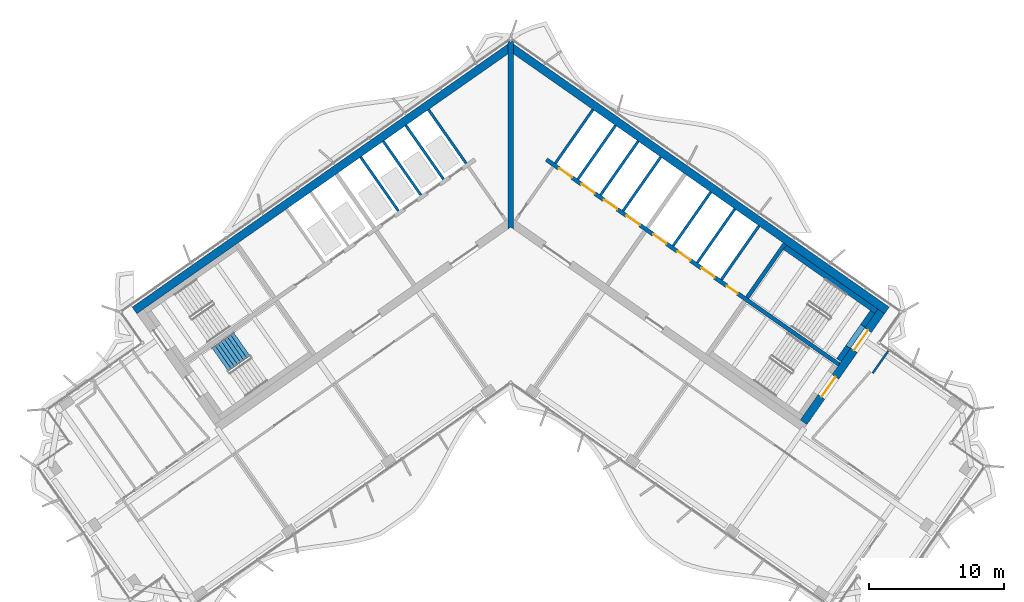
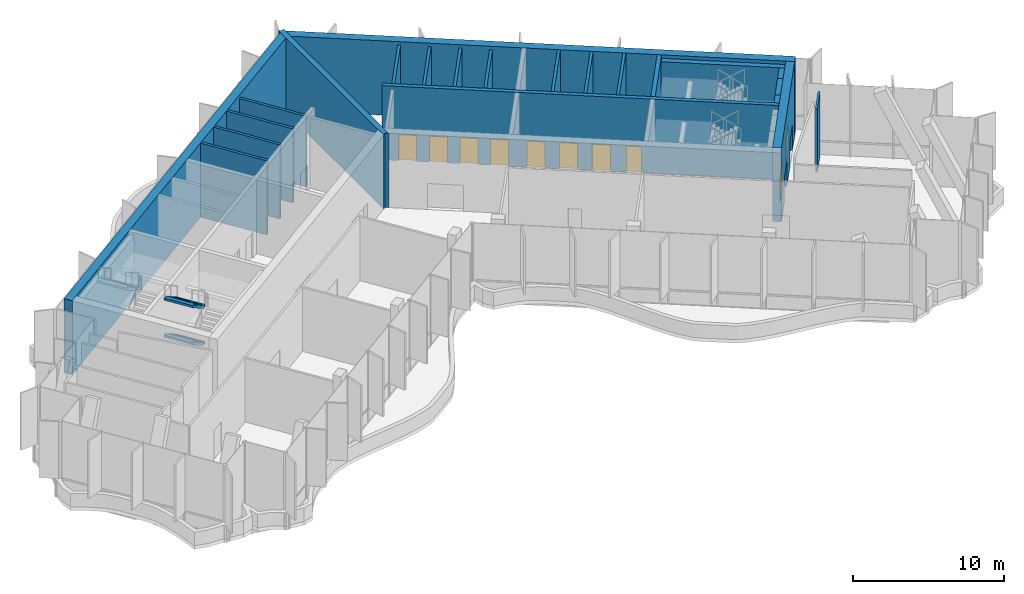
# One storey, part 14 of 22: 22 walls, 10 doors, 2 stair flights, 10 openings, 1 element without a shape of its own.
"""IFC4 building model written with IfcOpenShell, lengths in metres."""

from ifc_helpers import new_model, si_unit, direction, frame, frame_2d, origin, place, context, subcontext, project, spatial, polyline, rectangle, outline, extrude, material, layer, layer_set, type_object, element, fill, aggregate, save


model = new_model("IFC4")

# Units and contexts
model_context = context("Model", 3, precision=1e-05, world=origin(), true_north=direction((0.0, 1.0)))
body_context = subcontext(model_context, "Body", "Model", "MODEL_VIEW")
ifc_project = project(units=[si_unit("LENGTHUNIT", "METRE"), si_unit("AREAUNIT", "SQUARE_METRE"), si_unit("VOLUMEUNIT", "CUBIC_METRE"), si_unit("PLANEANGLEUNIT", "RADIAN"), si_unit("MASSUNIT", "GRAM", prefix="KILO")], contexts=[model_context])

# Site, building, storey
site_placement = place(None, origin())
site = spatial("IfcSite", under=ifc_project, at=site_placement, CompositionType="ELEMENT")
building_placement = place(site_placement, origin())
building = spatial("IfcBuilding", under=site, at=building_placement, Name="Tel Ilan Convention Tower", CompositionType="ELEMENT")
storey_placement = place(building_placement, frame((0.0, 0.0, 219.39990234375)))
storey = spatial("IfcBuildingStorey", under=building, at=storey_placement, Name="L51", CompositionType="ELEMENT", Elevation=219.39990234375)

# Walls
ifc_material_1 = material(Name="Concrete C30/37", Category="concrete")
ifc_layer_1 = layer(ifc_material_1, 0.199951171875)
ifc_layer_set_1 = layer_set([ifc_layer_1], Name="Core Service Room Wall 200 mm C30/37")
wall_type_1 = type_object("IfcWallType", Name="Core Service Room Wall 200 mm C30/37", PredefinedType="SOLIDWALL", material=ifc_layer_set_1)
for number, where, z_axis, x_axis, name in (
    (1, (-3.2978515625, 3.489501953125, 0.0), (0.0, 0.0, 1.0), (-0.573560315113, 0.819163332265, 0.0), "L51 core wall apex-W-b"),
    (2, (3.2978515625, 3.489501953125, 0.0), (0.0, 0.0, 1.0), (0.573560315113, 0.819163332265, 0.0), "L51 core wall apex-E-b"),
):
    element("IfcWall", number, at=place(storey_placement, frame(where, z_axis=z_axis, x_axis=x_axis)), inside=storey, type_object=wall_type_1, Name=name, PredefinedType="SOLIDWALL", context=body_context, shape_type="SweptSolid", body=[
        extrude(rectangle(XDim=4.849853515625, YDim=0.199951171875, at=frame_2d((2.4248046875, 0.0))), origin(), (0.0, 0.0, 1.0), 5.72021484375),
    ])
ifc_material_2 = material(Name="Concrete C40/50", Category="concrete")
ifc_layer_2 = layer(ifc_material_2, 0.300048828125)
ifc_layer_set_2 = layer_set([ifc_layer_2], Name="Core Shear Wall 300 mm C40/50")
wall_type_2 = type_object("IfcWallType", Name="Core Shear Wall 300 mm C40/50", PredefinedType="SHEAR", material=ifc_layer_set_2)
wall_1_placement = place(storey_placement, frame((17.46923828125, -6.433349609375, 0.0), z_axis=(0.0, 0.0, 1.0), x_axis=(0.573594092424, 0.81913968109, 0.0)))
element("IfcWall", 3, at=wall_1_placement, inside=storey, type_object=wall_type_2, Name="L51 core wall E-cross2-2", PredefinedType="SHEAR", context=body_context, shape_type="SweptSolid", body=[
    extrude(outline(polyline([(4.849853515625, -0.14990234375), (4.849853515625, 0.150146484375), (0.0, 0.14990234375), (0.0, -0.14990234375), (4.849853515625, -0.14990234375)])), origin(), (0.0, 0.0, 1.0), 6.0),
])

# Wall, openings, doors
wall_2_placement = place(storey_placement, frame((2.638427734375, 3.76806640625, 0.0), z_axis=(0.0, 0.0, 1.0), x_axis=(0.819155014212, -0.573572194837, 0.0)))
wall_2 = element("IfcWall", 4, at=wall_2_placement, inside=storey, type_object=wall_type_2, Name="L51 core wall E-spine", PredefinedType="SHEAR", context=body_context, shape_type="SweptSolid", body=[
    extrude(outline(polyline([(0.0, 0.150146484375), (0.0, -0.14990234375), (26.39990234375, -0.150146484375), (26.39990234375, 0.14990234375), (0.0, 0.150146484375)])), origin(), (0.0, 0.0, 1.0), 6.0),
])
opening_1_placement = place(wall_2_placement, frame((1.118896484375, 0.0, 0.0)))
opening_1 = element("IfcOpeningElement", 5, at=opening_1_placement, cuts=wall_2, Name="Opening LD4010", PredefinedType="OPENING", context=body_context, shape_type="SweptSolid", body=[
    extrude(rectangle(XDim=1.199951171875, YDim=2.10009765625, at=frame_2d((0.60009765625, 1.050048828125))), frame((0.0, 0.159912109375, 0.0), z_axis=(0.0, -1.0, 0.0), x_axis=(1.0, 0.0, 0.0)), (0.0, 0.0, 1.0), 0.320068359375),
])
opening_2_placement = place(wall_2_placement, frame((3.15625, 0.0, 0.0)))
opening_2 = element("IfcOpeningElement", 6, at=opening_2_placement, cuts=wall_2, Name="Opening LD4011", PredefinedType="OPENING", context=body_context, shape_type="SweptSolid", body=[
    extrude(rectangle(XDim=1.199951171875, YDim=2.10009765625, at=frame_2d((0.60009765625, 1.050048828125))), frame((0.0, 0.159912109375, 0.0), z_axis=(0.0, -1.0, 0.0), x_axis=(1.0, 0.0, 0.0)), (0.0, 0.0, 1.0), 0.320068359375),
])
opening_3_placement = place(wall_2_placement, frame((5.193603515625, 0.0, 0.0)))
opening_3 = element("IfcOpeningElement", 7, at=opening_3_placement, cuts=wall_2, Name="Opening LD4012", PredefinedType="OPENING", context=body_context, shape_type="SweptSolid", body=[
    extrude(rectangle(XDim=1.199951171875, YDim=2.10009765625, at=frame_2d((0.60009765625, 1.050048828125))), frame((0.0, 0.159912109375, 0.0), z_axis=(0.0, -1.0, 0.0), x_axis=(1.0, 0.0, 0.0)), (0.0, 0.0, 1.0), 0.320068359375),
])
opening_4_placement = place(wall_2_placement, frame((7.231201171875, 0.0, 0.0)))
opening_4 = element("IfcOpeningElement", 8, at=opening_4_placement, cuts=wall_2, Name="Opening LD4013", PredefinedType="OPENING", context=body_context, shape_type="SweptSolid", body=[
    extrude(rectangle(XDim=1.199951171875, YDim=2.10009765625, at=frame_2d((0.60009765625, 1.050048828125))), frame((0.0, 0.159912109375, 0.0), z_axis=(0.0, -1.0, 0.0), x_axis=(1.0, 0.0, 0.0)), (0.0, 0.0, 1.0), 0.320068359375),
])
opening_5_placement = place(wall_2_placement, frame((9.637451171875, 0.0, 0.0)))
opening_5 = element("IfcOpeningElement", 9, at=opening_5_placement, cuts=wall_2, Name="Opening LD4001", PredefinedType="OPENING", context=body_context, shape_type="SweptSolid", body=[
    extrude(rectangle(XDim=1.199951171875, YDim=2.10009765625, at=frame_2d((0.60009765625, 1.050048828125))), frame((0.0, 0.159912109375, 0.0), z_axis=(0.0, -1.0, 0.0), x_axis=(1.0, 0.0, 0.0)), (0.0, 0.0, 1.0), 0.320068359375),
])
opening_6_placement = place(wall_2_placement, frame((11.8125, 0.0, 0.0)))
opening_6 = element("IfcOpeningElement", 10, at=opening_6_placement, cuts=wall_2, Name="Opening LD4002", PredefinedType="OPENING", context=body_context, shape_type="SweptSolid", body=[
    extrude(rectangle(XDim=1.199951171875, YDim=2.10009765625, at=frame_2d((0.60009765625, 1.050048828125))), frame((0.0, 0.159912109375, 0.0), z_axis=(0.0, -1.0, 0.0), x_axis=(1.0, 0.0, 0.0)), (0.0, 0.0, 1.0), 0.320068359375),
])
opening_7_placement = place(wall_2_placement, frame((13.987548828125, 0.0, 0.0)))
opening_7 = element("IfcOpeningElement", 11, at=opening_7_placement, cuts=wall_2, Name="Opening LD4003", PredefinedType="OPENING", context=body_context, shape_type="SweptSolid", body=[
    extrude(rectangle(XDim=1.199951171875, YDim=2.10009765625, at=frame_2d((0.60009765625, 1.050048828125))), frame((0.0, 0.159912109375, 0.0), z_axis=(0.0, -1.0, 0.0), x_axis=(1.0, 0.0, 0.0)), (0.0, 0.0, 1.0), 0.320068359375),
])
opening_8_placement = place(wall_2_placement, frame((16.262451171875, 0.0, 0.0)))
opening_8 = element("IfcOpeningElement", 12, at=opening_8_placement, cuts=wall_2, Name="Opening CD4007", PredefinedType="OPENING", context=body_context, shape_type="SweptSolid", body=[
    extrude(rectangle(XDim=1.0, YDim=2.10009765625, at=frame_2d((0.5, 1.050048828125))), frame((0.0, 0.159912109375, 0.0), z_axis=(0.0, -1.0, 0.0), x_axis=(1.0, 0.0, 0.0)), (0.0, 0.0, 1.0), 0.320068359375),
])
ifc_material_3 = material(Name="Stainless Steel Sliding Door Leaf", Category="steel")
door_type_1 = type_object("IfcDoorType", Name="Lift Landing Door 1200 x 2100 FD120", OperationType="NOTDEFINED", PredefinedType="DOOR", material=ifc_material_3)
door_1_placement = place(opening_1_placement, origin())
door_1 = element("IfcDoor", 13, at=door_1_placement, inside=storey, type_object=door_type_1, Name="Lift SH1 landing door", OperationType="SLIDING_TO_LEFT", OverallHeight=2.10009765625, OverallWidth=1.199951171875, PredefinedType="DOOR", context=body_context, shape_type="SweptSolid", body=[
    extrude(rectangle(XDim=1.199951171875, YDim=2.10009765625, at=frame_2d((0.60009765625, 1.050048828125))), frame((0.0, 0.02490234375, 0.0), z_axis=(0.0, -1.0, 0.0), x_axis=(1.0, 0.0, 0.0)), (0.0, 0.0, 1.0), 0.050048828125),
])
fill(opening_1, door_1)
door_2_placement = place(opening_2_placement, origin())
door_2 = element("IfcDoor", 14, at=door_2_placement, inside=storey, type_object=door_type_1, Name="Lift SH2 landing door", OperationType="SLIDING_TO_RIGHT", OverallHeight=2.10009765625, OverallWidth=1.199951171875, PredefinedType="DOOR", context=body_context, shape_type="SweptSolid", body=[
    extrude(rectangle(XDim=1.199951171875, YDim=2.10009765625, at=frame_2d((0.60009765625, 1.050048828125))), frame((0.0, 0.02490234375, 0.0), z_axis=(0.0, -1.0, 0.0), x_axis=(1.0, 0.0, 0.0)), (0.0, 0.0, 1.0), 0.050048828125),
])
fill(opening_2, door_2)
door_3_placement = place(opening_3_placement, origin())
door_3 = element("IfcDoor", 15, at=door_3_placement, inside=storey, type_object=door_type_1, Name="Lift SH3 landing door", OperationType="SLIDING_TO_LEFT", OverallHeight=2.10009765625, OverallWidth=1.199951171875, PredefinedType="DOOR", context=body_context, shape_type="SweptSolid", body=[
    extrude(rectangle(XDim=1.199951171875, YDim=2.10009765625, at=frame_2d((0.60009765625, 1.050048828125))), frame((0.0, 0.02490234375, 0.0), z_axis=(0.0, -1.0, 0.0), x_axis=(1.0, 0.0, 0.0)), (0.0, 0.0, 1.0), 0.050048828125),
])
fill(opening_3, door_3)
door_4_placement = place(opening_4_placement, origin())
door_4 = element("IfcDoor", 16, at=door_4_placement, inside=storey, type_object=door_type_1, Name="Lift SH4 landing door", OperationType="SLIDING_TO_RIGHT", OverallHeight=2.10009765625, OverallWidth=1.199951171875, PredefinedType="DOOR", context=body_context, shape_type="SweptSolid", body=[
    extrude(rectangle(XDim=1.199951171875, YDim=2.10009765625, at=frame_2d((0.60009765625, 1.050048828125))), frame((0.0, 0.02490234375, 0.0), z_axis=(0.0, -1.0, 0.0), x_axis=(1.0, 0.0, 0.0)), (0.0, 0.0, 1.0), 0.050048828125),
])
fill(opening_4, door_4)
door_5_placement = place(opening_5_placement, origin())
door_5 = element("IfcDoor", 17, at=door_5_placement, inside=storey, type_object=door_type_1, Name="Lift FL1 landing door", OperationType="SLIDING_TO_LEFT", OverallHeight=2.10009765625, OverallWidth=1.199951171875, PredefinedType="DOOR", context=body_context, shape_type="SweptSolid", body=[
    extrude(rectangle(XDim=1.199951171875, YDim=2.10009765625, at=frame_2d((0.60009765625, 1.050048828125))), frame((0.0, 0.02490234375, 0.0), z_axis=(0.0, -1.0, 0.0), x_axis=(1.0, 0.0, 0.0)), (0.0, 0.0, 1.0), 0.050048828125),
])
fill(opening_5, door_5)
door_6_placement = place(opening_6_placement, origin())
door_6 = element("IfcDoor", 18, at=door_6_placement, inside=storey, type_object=door_type_1, Name="Lift FL2 landing door", OperationType="SLIDING_TO_RIGHT", OverallHeight=2.10009765625, OverallWidth=1.199951171875, PredefinedType="DOOR", context=body_context, shape_type="SweptSolid", body=[
    extrude(rectangle(XDim=1.199951171875, YDim=2.10009765625, at=frame_2d((0.60009765625, 1.050048828125))), frame((0.0, 0.02490234375, 0.0), z_axis=(0.0, -1.0, 0.0), x_axis=(1.0, 0.0, 0.0)), (0.0, 0.0, 1.0), 0.050048828125),
])
fill(opening_6, door_6)
door_7_placement = place(opening_7_placement, origin())
door_7 = element("IfcDoor", 19, at=door_7_placement, inside=storey, type_object=door_type_1, Name="Lift FL3 landing door", OperationType="SLIDING_TO_LEFT", OverallHeight=2.10009765625, OverallWidth=1.199951171875, PredefinedType="DOOR", context=body_context, shape_type="SweptSolid", body=[
    extrude(rectangle(XDim=1.199951171875, YDim=2.10009765625, at=frame_2d((0.60009765625, 1.050048828125))), frame((0.0, 0.02490234375, 0.0), z_axis=(0.0, -1.0, 0.0), x_axis=(1.0, 0.0, 0.0)), (0.0, 0.0, 1.0), 0.050048828125),
])
fill(opening_7, door_7)
ifc_material_4 = material(Name="Galvanised Steel Door Leaf", Category="steel")
door_type_2 = type_object("IfcDoorType", Name="Service Room Door 1000 x 2100 FD60", OperationType="NOTDEFINED", PredefinedType="DOOR", material=ifc_material_4)
door_8_placement = place(opening_8_placement, origin())
door_8 = element("IfcDoor", 20, at=door_8_placement, inside=storey, type_object=door_type_2, Name="Plant Room door", OperationType="SINGLE_SWING_RIGHT", OverallHeight=2.10009765625, OverallWidth=1.0, PredefinedType="DOOR", context=body_context, shape_type="SweptSolid", body=[
    extrude(rectangle(XDim=1.0, YDim=2.10009765625, at=frame_2d((0.5, 1.050048828125))), frame((0.0, 0.02490234375, 0.0), z_axis=(0.0, -1.0, 0.0), x_axis=(1.0, 0.0, 0.0)), (0.0, 0.0, 1.0), 0.050048828125),
])
fill(opening_8, door_8)

# Walls
ifc_material_5 = material(Name="Concrete C40/50", Category="concrete")
ifc_layer_3 = layer(ifc_material_5, 0.39990234375)
ifc_layer_set_3 = layer_set([ifc_layer_3], Name="Core Shear Wall 400 mm C40/50")
wall_type_3 = type_object("IfcWallType", Name="Core Shear Wall 400 mm C40/50", PredefinedType="SHEAR", material=ifc_layer_set_3)
wall_3_placement = place(storey_placement, frame((0.0, -1.36083984375, 0.0), z_axis=(0.0, 0.0, 1.0), x_axis=(0.0, 1.0, 0.0)))
element("IfcWall", 21, at=wall_3_placement, inside=storey, type_object=wall_type_3, Name="L51 core wall K-central", PredefinedType="SHEAR", context=body_context, shape_type="SweptSolid", body=[
    extrude(outline(polyline([(0.14013671875, 0.199951171875), (0.0, 0.199951171875), (0.14013671875, 0.0), (0.0, -0.199951171875), (0.14013671875, -0.199951171875), (1.012451171875, -0.199951171875), (12.940185546875, -0.199951171875), (13.812744140625, -0.199951171875), (13.893310546875, -0.199951171875), (13.933349609375, -0.172119140625), (13.812744140625, 0.0), (13.933349609375, 0.172119140625), (13.893310546875, 0.199951171875), (13.812744140625, 0.199951171875), (12.940185546875, 0.199951171875), (1.012451171875, 0.199951171875), (0.14013671875, 0.199951171875)])), origin(), (0.0, 0.0, 1.0), 6.0),
])
ifc_material_6 = material(Name="Concrete C40/50", Category="concrete")
ifc_layer_4 = layer(ifc_material_6, 0.60009765625)
ifc_layer_set_4 = layer_set([ifc_layer_4], Name="Core Shear Wall 600 mm C40/50")
wall_type_4 = type_object("IfcWallType", Name="Core Shear Wall 600 mm C40/50", PredefinedType="SHEAR", material=ifc_layer_set_4)
wall_4_placement = place(storey_placement, frame((-0.02783203125, 12.066162109375, 0.0), z_axis=(0.0, 0.0, 1.0), x_axis=(-0.819151382952, -0.573577380837, 0.0)))
element("IfcWall", 22, at=wall_4_placement, inside=storey, type_object=wall_type_4, Name="L51 core wall W-back", PredefinedType="SHEAR", context=body_context, shape_type="SweptSolid", body=[
    extrude(outline(polyline([(33.89794921875, 0.300048828125), (0.420166015625, 0.300048828125), (0.0, -0.300048828125), (33.898193359375, -0.300048828125), (33.89794921875, 0.300048828125)])), origin(), (0.0, 0.0, 1.0), 6.0),
])
wall_5_placement = place(storey_placement, frame((0.02783203125, 12.066162109375, 0.0), z_axis=(0.0, 0.0, 1.0), x_axis=(0.819151382952, -0.573577380837, 0.0)))
element("IfcWall", 23, at=wall_5_placement, inside=storey, type_object=wall_type_4, Name="L51 core wall E-back", PredefinedType="SHEAR", context=body_context, shape_type="SweptSolid", body=[
    extrude(outline(polyline([(33.898193359375, 0.300048828125), (0.0, 0.300048828125), (0.420166015625, -0.300048828125), (33.89794921875, -0.300048828125), (33.898193359375, 0.300048828125)])), origin(), (0.0, 0.0, 1.0), 6.0),
])

# Wall, openings, doors
wall_6_placement = place(storey_placement, frame((21.641845703125, -15.64208984375, 0.0), z_axis=(0.0, 0.0, 1.0), x_axis=(0.573586866468, 0.819144740944, 0.0)))
wall_6 = element("IfcWall", 24, at=wall_6_placement, inside=storey, type_object=wall_type_4, Name="L51 core wall E-end", PredefinedType="SHEAR", context=body_context, shape_type="SweptSolid", body=[
    extrude(outline(polyline([(10.0, 0.300048828125), (0.0, 0.2998046875), (0.0, -0.300048828125), (10.0, -0.300048828125), (10.0, 0.300048828125)])), origin(), (0.0, 0.0, 1.0), 6.0),
])
opening_9_placement = place(wall_6_placement, frame((6.5, 0.0, 0.0)))
opening_9 = element("IfcOpeningElement", 25, at=opening_9_placement, cuts=wall_6, Name="Opening SD4003", PredefinedType="OPENING", context=body_context, shape_type="SweptSolid", body=[
    extrude(rectangle(XDim=1.800048828125, YDim=2.10009765625, at=frame_2d((0.89990234375, 1.050048828125))), frame((0.0, 0.31005859375, 0.0), z_axis=(0.0, -1.0, 0.0), x_axis=(1.0, 0.0, 0.0)), (0.0, 0.0, 1.0), 0.6201171875),
])
opening_10_placement = place(wall_6_placement, frame((2.300048828125, 0.0, 0.0)))
opening_10 = element("IfcOpeningElement", 26, at=opening_10_placement, cuts=wall_6, Name="Opening SD4004", PredefinedType="OPENING", context=body_context, shape_type="SweptSolid", body=[
    extrude(rectangle(XDim=1.800048828125, YDim=2.10009765625, at=frame_2d((0.89990234375, 1.050048828125))), frame((0.0, 0.31005859375, 0.0), z_axis=(0.0, -1.0, 0.0), x_axis=(1.0, 0.0, 0.0)), (0.0, 0.0, 1.0), 0.6201171875),
])
ifc_material_7 = material(Name="Galvanised Steel Door Leaf", Category="steel")
door_type_3 = type_object("IfcDoorType", Name="Stair Fire Door 1800 x 2100 FD60S", OperationType="NOTDEFINED", PredefinedType="DOOR", material=ifc_material_7)
door_9_placement = place(opening_9_placement, origin())
door_9 = element("IfcDoor", 27, at=door_9_placement, inside=storey, type_object=door_type_3, Name="Stair S3 door", OperationType="DOUBLE_DOOR_SINGLE_SWING", OverallHeight=2.10009765625, OverallWidth=1.800048828125, PredefinedType="DOOR", context=body_context, shape_type="SweptSolid", body=[
    extrude(rectangle(XDim=1.800048828125, YDim=2.10009765625, at=frame_2d((0.89990234375, 1.050048828125))), frame((0.0, 0.02490234375, 0.0), z_axis=(0.0, -1.0, 0.0), x_axis=(1.0, 0.0, 0.0)), (0.0, 0.0, 1.0), 0.050048828125),
])
fill(opening_9, door_9)
door_10_placement = place(opening_10_placement, origin())
door_10 = element("IfcDoor", 28, at=door_10_placement, inside=storey, type_object=door_type_3, Name="Stair S4 door", OperationType="DOUBLE_DOOR_SINGLE_SWING", OverallHeight=2.10009765625, OverallWidth=1.800048828125, PredefinedType="DOOR", context=body_context, shape_type="SweptSolid", body=[
    extrude(rectangle(XDim=1.800048828125, YDim=2.10009765625, at=frame_2d((0.89990234375, 1.050048828125))), frame((0.0, 0.02490234375, 0.0), z_axis=(0.0, -1.0, 0.0), x_axis=(1.0, 0.0, 0.0)), (0.0, 0.0, 1.0), 0.050048828125),
])
fill(opening_10, door_10)

# Walls
ifc_material_8 = material(Name="Plasterboard on Steel Studs", Category="steel")
ifc_layer_5 = layer(ifc_material_8, 0.14990234375)
ifc_layer_set_5 = layer_set([ifc_layer_5], Name="Fire-rated Partition 150 EI 60")
wall_type_5 = type_object("IfcWallType", Name="Fire-rated Partition 150 EI 60", PredefinedType="PARTITIONING", material=ifc_layer_set_5)
wall_7_placement = place(storey_placement, frame((26.74609375, -12.013671875, 0.0), z_axis=(0.0, 0.0, 1.0), x_axis=(0.573568836472, 0.819157365729, 0.0)))
element("IfcWall", 29, at=wall_7_placement, inside=storey, type_object=wall_type_5, Name="Partition 013", PredefinedType="PARTITIONING", context=body_context, shape_type="SweptSolid", body=[
    extrude(rectangle(XDim=2.000244140625, YDim=0.14990234375, at=frame_2d((1.0, 0.0))), origin(), (0.0, 0.0, 1.0), 5.150146484375),
])
ifc_material_9 = material(Name="Concrete C30/37", Category="concrete")
ifc_layer_6 = layer(ifc_material_9, 0.199951171875)
ifc_layer_set_6 = layer_set([ifc_layer_6], Name="Lift Shaft Wall 200 mm C30/37")
wall_type_6 = type_object("IfcWallType", Name="Lift Shaft Wall 200 mm C30/37", PredefinedType="SOLIDWALL", material=ifc_layer_set_6)
wall_8_placement = place(storey_placement, frame((-4.966796875, 2.32080078125, 0.0), z_axis=(0.0, 0.0, 1.0), x_axis=(-0.573594092424, 0.81913968109, 0.0)))
element("IfcWall", 30, at=wall_8_placement, inside=storey, type_object=wall_type_6, Name="L51 core wall bank-W1-p0", PredefinedType="SOLIDWALL", context=body_context, shape_type="SweptSolid", body=[
    extrude(rectangle(XDim=4.85009765625, YDim=0.199951171875, at=frame_2d((2.425048828125, 0.0))), origin(), (0.0, 0.0, 1.0), 6.0),
])
wall_9_placement = place(storey_placement, frame((-6.635986328125, 1.152099609375, 0.0), z_axis=(0.0, 0.0, 1.0), x_axis=(-0.573560315113, 0.819163332265, 0.0)))
element("IfcWall", 31, at=wall_9_placement, inside=storey, type_object=wall_type_6, Name="L51 core wall bank-W1-p1", PredefinedType="SOLIDWALL", context=body_context, shape_type="SweptSolid", body=[
    extrude(rectangle(XDim=4.849853515625, YDim=0.199951171875, at=frame_2d((2.4248046875, 0.0))), origin(), (0.0, 0.0, 1.0), 6.0),
])
wall_10_placement = place(storey_placement, frame((-8.304931640625, -0.0166015625, 0.0), z_axis=(0.0, 0.0, 1.0), x_axis=(-0.573594092424, 0.81913968109, 0.0)))
element("IfcWall", 32, at=wall_10_placement, inside=storey, type_object=wall_type_6, Name="L51 core wall bank-W1-p2", PredefinedType="SOLIDWALL", context=body_context, shape_type="SweptSolid", body=[
    extrude(rectangle(XDim=4.85009765625, YDim=0.199951171875, at=frame_2d((2.425048828125, 0.0))), origin(), (0.0, 0.0, 1.0), 6.0),
])
wall_11_placement = place(storey_placement, frame((4.966796875, 2.32080078125, 0.0), z_axis=(0.0, 0.0, 1.0), x_axis=(0.573594092424, 0.81913968109, 0.0)))
element("IfcWall", 33, at=wall_11_placement, inside=storey, type_object=wall_type_6, Name="L51 core wall bank-E1-p0", PredefinedType="SOLIDWALL", context=body_context, shape_type="SweptSolid", body=[
    extrude(rectangle(XDim=4.85009765625, YDim=0.199951171875, at=frame_2d((2.425048828125, 0.0))), origin(), (0.0, 0.0, 1.0), 5.72021484375),
])
wall_12_placement = place(storey_placement, frame((6.635986328125, 1.152099609375, 0.0), z_axis=(0.0, 0.0, 1.0), x_axis=(0.573560315113, 0.819163332265, 0.0)))
element("IfcWall", 34, at=wall_12_placement, inside=storey, type_object=wall_type_6, Name="L51 core wall bank-E1-p1", PredefinedType="SOLIDWALL", context=body_context, shape_type="SweptSolid", body=[
    extrude(rectangle(XDim=4.849853515625, YDim=0.199951171875, at=frame_2d((2.4248046875, 0.0))), origin(), (0.0, 0.0, 1.0), 5.72021484375),
])
wall_13_placement = place(storey_placement, frame((8.304931640625, -0.0166015625, 0.0), z_axis=(0.0, 0.0, 1.0), x_axis=(0.573594092424, 0.81913968109, 0.0)))
element("IfcWall", 35, at=wall_13_placement, inside=storey, type_object=wall_type_6, Name="L51 core wall bank-E1-p2", PredefinedType="SOLIDWALL", context=body_context, shape_type="SweptSolid", body=[
    extrude(rectangle(XDim=4.85009765625, YDim=0.199951171875, at=frame_2d((2.425048828125, 0.0))), origin(), (0.0, 0.0, 1.0), 5.72021484375),
])
wall_14_placement = place(storey_placement, frame((12.00146484375, -2.604736328125, 0.0), z_axis=(0.0, 0.0, 1.0), x_axis=(0.573560315113, 0.819163332265, 0.0)))
element("IfcWall", 36, at=wall_14_placement, inside=storey, type_object=wall_type_6, Name="L51 core wall bank-E2-p0", PredefinedType="SOLIDWALL", context=body_context, shape_type="SweptSolid", body=[
    extrude(rectangle(XDim=4.849853515625, YDim=0.199951171875, at=frame_2d((2.4248046875, 0.0))), origin(), (0.0, 0.0, 1.0), 6.0),
])
wall_15_placement = place(storey_placement, frame((13.782958984375, -3.852294921875, 0.0), z_axis=(0.0, 0.0, 1.0), x_axis=(0.573594092424, 0.81913968109, 0.0)))
element("IfcWall", 37, at=wall_15_placement, inside=storey, type_object=wall_type_6, Name="L51 core wall bank-E2-p1", PredefinedType="SOLIDWALL", context=body_context, shape_type="SweptSolid", body=[
    extrude(rectangle(XDim=4.85009765625, YDim=0.199951171875, at=frame_2d((2.425048828125, 0.0))), origin(), (0.0, 0.0, 1.0), 6.0),
])
wall_16_placement = place(storey_placement, frame((15.564697265625, -5.099853515625, 0.0), z_axis=(0.0, 0.0, 1.0), x_axis=(0.573560315113, 0.819163332265, 0.0)))
element("IfcWall", 38, at=wall_16_placement, inside=storey, type_object=wall_type_6, Name="L51 core wall bank-E2-p2", PredefinedType="SOLIDWALL", context=body_context, shape_type="SweptSolid", body=[
    extrude(rectangle(XDim=4.849853515625, YDim=0.199951171875, at=frame_2d((2.4248046875, 0.0))), origin(), (0.0, 0.0, 1.0), 6.0),
])
ifc_material_10 = material(Name="Concrete C30/37", Category="concrete")
ifc_layer_7 = layer(ifc_material_10, 0.39990234375)
ifc_layer_set_7 = layer_set([ifc_layer_7], Name="Stair and Shaft Lining Wall 400 mm C30/37")
wall_type_7 = type_object("IfcWallType", Name="Stair and Shaft Lining Wall 400 mm C30/37", PredefinedType="SOLIDWALL", material=ifc_layer_set_7)
wall_17_placement = place(storey_placement, frame((20.25927734375, -2.71044921875, 0.0), z_axis=(0.0, 0.0, 1.0), x_axis=(0.81914849389, -0.573581506813, 0.0)))
element("IfcWall", 39, at=wall_17_placement, inside=storey, type_object=wall_type_7, Name="L51 core wall lining-S3-t1", PredefinedType="SOLIDWALL", context=body_context, shape_type="SweptSolid", body=[
    extrude(rectangle(XDim=8.249755859375, YDim=0.39990234375, at=frame_2d((4.125, 0.0))), origin(), (0.0, 0.0, 1.0), 5.72021484375),
])
wall_18_placement = place(storey_placement, frame((24.24365234375, -11.0546875, 0.0), z_axis=(0.0, 0.0, 1.0), x_axis=(0.573571582932, 0.819155442668, 0.0)))
element("IfcWall", 40, at=wall_18_placement, inside=storey, type_object=wall_type_7, Name="L51 core wall lining-S3-u1-0", PredefinedType="SOLIDWALL", context=body_context, shape_type="SweptSolid", body=[
    extrude(rectangle(XDim=1.199951171875, YDim=0.39990234375, at=frame_2d((0.60009765625, 0.0))), origin(), (0.0, 0.0, 1.0), 5.72021484375),
])
wall_19_placement = place(storey_placement, frame((26.021728515625, -8.515380859375, 0.0), z_axis=(0.0, 0.0, 1.0), x_axis=(0.573619628835, 0.819121798889, 0.0)))
element("IfcWall", 41, at=wall_19_placement, inside=storey, type_object=wall_type_7, Name="L51 core wall lining-S3-u1-1", PredefinedType="SOLIDWALL", context=body_context, shape_type="SweptSolid", body=[
    extrude(rectangle(XDim=1.25, YDim=0.39990234375, at=frame_2d((0.625, 0.0))), origin(), (0.0, 0.0, 1.0), 5.72021484375),
])
wall_20_placement = place(storey_placement, frame((24.931884765625, -10.07177734375, 2.150146484375), z_axis=(0.0, 0.0, 1.0), x_axis=(0.573591692345, 0.819141361715, 0.0)))
element("IfcWall", 42, at=wall_20_placement, inside=storey, type_object=wall_type_7, Name="L51 core wall lining-S3-u1-lintel", PredefinedType="SOLIDWALL", context=body_context, shape_type="SweptSolid", body=[
    extrude(rectangle(XDim=1.900146484375, YDim=0.39990234375, at=frame_2d((0.9501953125, 0.0))), origin(), (0.0, 0.0, 1.0), 3.570068359375),
])

# Stair, stair flights
ifc_material_11 = material(Name="Concrete C40/50", Category="concrete")
stair_type = type_object("IfcStairType", Name="Pressurised Exit Stair 32 risers 188 mm", PredefinedType="HALF_TURN_STAIR", material=ifc_material_11)
stair_placement = place(storey_placement, origin())
stair = element("IfcStair", 43, at=stair_placement, inside=storey, type_object=stair_type, Name="L51 Pressurised Stair S2", PredefinedType="HALF_TURN_STAIR")
ifc_material_12 = material(Name="Precast Concrete C40/50", Category="concrete")
stair_flight_type = type_object("IfcStairFlightType", Name="Concrete Stair Flight 2100 mm 32 risers 188 mm", PredefinedType="STRAIGHT", material=ifc_material_12)
stair_flight_1_placement = place(storey_placement, frame((-19.864990234375, -9.881103515625, 1.5), z_axis=(0.0, 0.0, 1.0), x_axis=(-0.819152044289, -0.573576436351, 0.0)))
stair_flight_1 = element("IfcStairFlight", 44, at=stair_flight_1_placement, type_object=stair_flight_type, Name="S2 flight 2", NumberOfRisers=8, NumberOfTreads=7, PredefinedType="STRAIGHT", RiserHeight=0.1875, TreadLength=0.28, context=body_context, shape_type="SweptSolid", body=[
    extrude(outline(polyline([(0.0, 0.0), (0.0, 0.1875), (0.280029296875, 0.1875), (0.280029296875, 0.375), (0.56005859375, 0.375), (0.56005859375, 0.5625), (0.840087890625, 0.5625), (0.840087890625, 0.75), (1.1201171875, 0.75), (1.1201171875, 0.9375), (1.39990234375, 0.9375), (1.39990234375, 1.125), (1.679931640625, 1.125), (1.679931640625, 1.3125), (1.9599609375, 1.3125), (1.9599609375, 1.5), (1.9599609375, 1.132080078125), (0.26953125, 0.0), (0.0, 0.0)])), frame((0.0, -0.100341796875, 0.0), z_axis=(0.0, -1.0, 0.0), x_axis=(1.0, 0.0, 0.0)), (0.0, 0.0, 1.0), 0.94970703125),
    extrude(outline(polyline([(0.0, 0.0), (0.0, 0.1875), (0.280029296875, 0.1875), (0.280029296875, 0.375), (0.56005859375, 0.375), (0.56005859375, 0.5625), (0.840087890625, 0.5625), (0.840087890625, 0.75), (1.1201171875, 0.75), (1.1201171875, 0.9375), (1.39990234375, 0.9375), (1.39990234375, 1.125), (1.679931640625, 1.125), (1.679931640625, 1.3125), (1.9599609375, 1.3125), (1.9599609375, 1.5), (1.9599609375, 1.132080078125), (0.26953125, 0.0), (0.0, 0.0)])), frame((0.0, -0.000244140625, 0.0), z_axis=(0.0, -1.0, 0.0), x_axis=(1.0, 0.0, 0.0)), (0.0, 0.0, 1.0), 0.099609375),
    extrude(outline(polyline([(0.0, 0.0), (0.0, 0.1875), (0.280029296875, 0.1875), (0.280029296875, 0.375), (0.56005859375, 0.375), (0.56005859375, 0.5625), (0.840087890625, 0.5625), (0.840087890625, 0.75), (1.1201171875, 0.75), (1.1201171875, 0.9375), (1.39990234375, 0.9375), (1.39990234375, 1.125), (1.679931640625, 1.125), (1.679931640625, 1.3125), (1.9599609375, 1.3125), (1.9599609375, 1.5), (1.9599609375, 1.132080078125), (0.26953125, 0.0), (0.0, 0.0)])), frame((0.0, 0.099853515625, 0.0), z_axis=(0.0, -1.0, 0.0), x_axis=(1.0, 0.0, 0.0)), (0.0, 0.0, 1.0), 0.099609375),
    extrude(outline(polyline([(0.0, 0.0), (0.0, 0.1875), (0.280029296875, 0.1875), (0.280029296875, 0.375), (0.56005859375, 0.375), (0.56005859375, 0.5625), (0.840087890625, 0.5625), (0.840087890625, 0.75), (1.1201171875, 0.75), (1.1201171875, 0.9375), (1.39990234375, 0.9375), (1.39990234375, 1.125), (1.679931640625, 1.125), (1.679931640625, 1.3125), (1.9599609375, 1.3125), (1.9599609375, 1.5), (1.9599609375, 1.132080078125), (0.26953125, 0.0), (0.0, 0.0)])), frame((0.0, 1.050048828125, 0.0), z_axis=(0.0, -1.0, 0.0), x_axis=(1.0, 0.0, 0.0)), (0.0, 0.0, 1.0), 0.94970703125),
])
stair_flight_2_placement = place(storey_placement, frame((-19.864990234375, -9.881103515625, 4.5), z_axis=(0.0, 0.0, 1.0), x_axis=(-0.819152044289, -0.573576436351, 0.0)))
stair_flight_2 = element("IfcStairFlight", 45, at=stair_flight_2_placement, type_object=stair_flight_type, Name="S2 flight 4", NumberOfRisers=8, NumberOfTreads=7, PredefinedType="STRAIGHT", RiserHeight=0.1875, TreadLength=0.28, context=body_context, shape_type="SweptSolid", body=[
    extrude(outline(polyline([(0.0, 0.0), (0.0, 0.1875), (0.280029296875, 0.1875), (0.280029296875, 0.375), (0.56005859375, 0.375), (0.56005859375, 0.5625), (0.840087890625, 0.5625), (0.840087890625, 0.75), (1.1201171875, 0.75), (1.1201171875, 0.9375), (1.39990234375, 0.9375), (1.39990234375, 1.125), (1.679931640625, 1.125), (1.679931640625, 1.3125), (1.9599609375, 1.3125), (1.9599609375, 1.5), (1.9599609375, 1.132080078125), (0.26953125, 0.0), (0.0, 0.0)])), frame((0.0, -0.100341796875, 0.0), z_axis=(0.0, -1.0, 0.0), x_axis=(1.0, 0.0, 0.0)), (0.0, 0.0, 1.0), 0.94970703125),
    extrude(outline(polyline([(0.0, 0.0), (0.0, 0.1875), (0.280029296875, 0.1875), (0.280029296875, 0.375), (0.56005859375, 0.375), (0.56005859375, 0.5625), (0.840087890625, 0.5625), (0.840087890625, 0.75), (1.1201171875, 0.75), (1.1201171875, 0.9375), (1.39990234375, 0.9375), (1.39990234375, 1.125), (1.679931640625, 1.125), (1.679931640625, 1.3125), (1.9599609375, 1.3125), (1.9599609375, 1.5), (1.9599609375, 1.132080078125), (0.26953125, 0.0), (0.0, 0.0)])), frame((0.0, -0.000244140625, 0.0), z_axis=(0.0, -1.0, 0.0), x_axis=(1.0, 0.0, 0.0)), (0.0, 0.0, 1.0), 0.099609375),
    extrude(outline(polyline([(0.0, 0.0), (0.0, 0.1875), (0.280029296875, 0.1875), (0.280029296875, 0.375), (0.56005859375, 0.375), (0.56005859375, 0.5625), (0.840087890625, 0.5625), (0.840087890625, 0.75), (1.1201171875, 0.75), (1.1201171875, 0.9375), (1.39990234375, 0.9375), (1.39990234375, 1.125), (1.679931640625, 1.125), (1.679931640625, 1.3125), (1.9599609375, 1.3125), (1.9599609375, 1.5), (1.9599609375, 1.132080078125), (0.26953125, 0.0), (0.0, 0.0)])), frame((0.0, 0.099853515625, 0.0), z_axis=(0.0, -1.0, 0.0), x_axis=(1.0, 0.0, 0.0)), (0.0, 0.0, 1.0), 0.099609375),
    extrude(outline(polyline([(0.0, 0.0), (0.0, 0.1875), (0.280029296875, 0.1875), (0.280029296875, 0.375), (0.56005859375, 0.375), (0.56005859375, 0.5625), (0.840087890625, 0.5625), (0.840087890625, 0.75), (1.1201171875, 0.75), (1.1201171875, 0.9375), (1.39990234375, 0.9375), (1.39990234375, 1.125), (1.679931640625, 1.125), (1.679931640625, 1.3125), (1.9599609375, 1.3125), (1.9599609375, 1.5), (1.9599609375, 1.132080078125), (0.26953125, 0.0), (0.0, 0.0)])), frame((0.0, 1.050048828125, 0.0), z_axis=(0.0, -1.0, 0.0), x_axis=(1.0, 0.0, 0.0)), (0.0, 0.0, 1.0), 0.94970703125),
])
aggregate(stair, [stair_flight_1, stair_flight_2])

save(model, "model.ifc")
